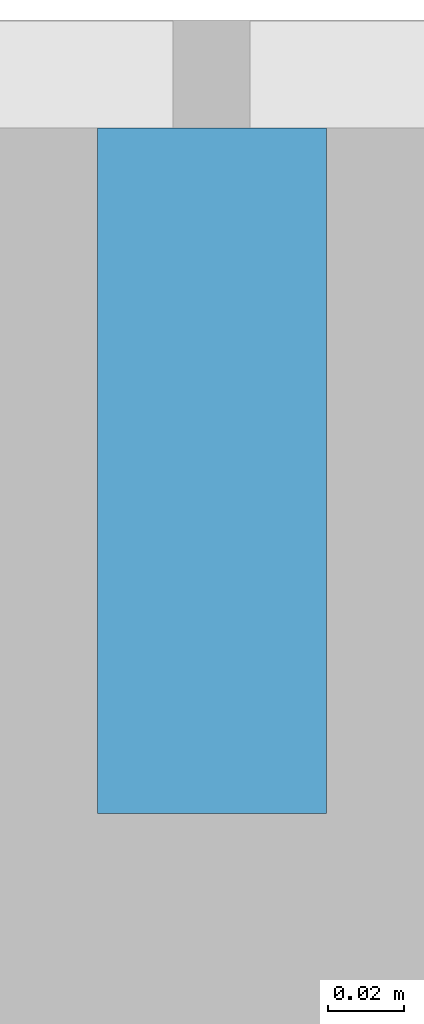
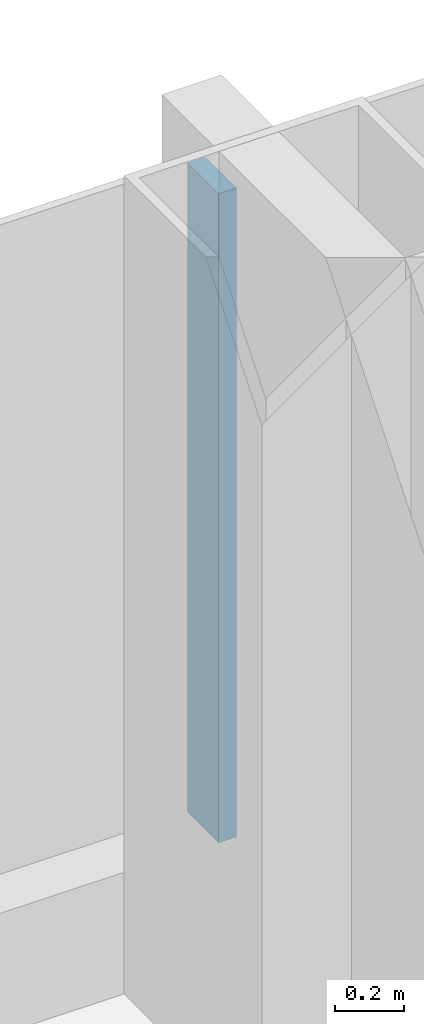
# One storey, part 8 of 29: 1 member, 1 element without a shape of its own.
"""IFC4 building model written with IfcOpenShell, lengths in metres."""

from ifc_helpers import new_model, si_unit, direction, frame, origin, origin_2d, place, context, subcontext, project, spatial, rectangle, extrude, material, layer, layer_set, material_profile, profile_set, type_object, element, aggregate, save


model = new_model("IFC4")

# Units and contexts
model_context = context("Model", 3, precision=1e-05, world=origin(), true_north=direction((0.0, 1.0)))
body_context = subcontext(model_context, "Body", "Model", "MODEL_VIEW")
ifc_project = project(units=[si_unit("LENGTHUNIT", "METRE"), si_unit("AREAUNIT", "SQUARE_METRE"), si_unit("VOLUMEUNIT", "CUBIC_METRE"), si_unit("PLANEANGLEUNIT", "RADIAN"), si_unit("MASSUNIT", "GRAM", prefix="KILO")], contexts=[model_context])

# Site, building, storey
site_placement = place(None, origin())
site = spatial("IfcSite", under=ifc_project, at=site_placement, CompositionType="ELEMENT")
building_placement = place(site_placement, origin())
building = spatial("IfcBuilding", under=site, at=building_placement, Name="Hakoniwa Tower and Hamabe Station Hall", CompositionType="ELEMENT")
storey_placement = place(building_placement, frame((0.0, 0.0, 117.0)))
storey = spatial("IfcBuildingStorey", under=building, at=storey_placement, Name="L33", CompositionType="ELEMENT", Elevation=117.0)

# Curtain wall, member
ifc_material_1 = material(Name="Dark low-e laminated glass", Category="glass")
ifc_layer = layer(ifc_material_1, 0.199951171875)
ifc_layer_set = layer_set([ifc_layer], Name="CW-1 UNITISED GUEST")
curtain_wall_type = type_object("IfcCurtainWallType", Name="CW-1 UNITISED GUEST", PredefinedType="NOTDEFINED", material=ifc_layer_set)
curtain_wall_placement = place(storey_placement, origin())
curtain_wall = element("IfcCurtainWall", 1, at=curtain_wall_placement, inside=storey, type_object=curtain_wall_type, Name="CW-1 curtain wall", PredefinedType="NOTDEFINED")
ifc_material_2 = material(Name="Aluminium 6063-T5 black anodised", Category="aluminium")
ifc_material_profile = material_profile(ifc_material_2, rectangle(XDim=0.06005859375, YDim=0.179931640625, at=origin_2d()), Name="CW-1 MULLION 60X180")
ifc_profile_set = profile_set([ifc_material_profile], Name="Aluminium 6063-T5 black anodised")
member_type = type_object("IfcMemberType", Name="CW-1 MULLION 60X180", PredefinedType="MULLION", material=ifc_profile_set)
member_placement = place(storey_placement, frame((-8.39990234375, 23.431884765625, 0.35009765625), z_axis=(0.0, 0.0, 1.0), x_axis=(-1.0, 0.0, 0.0)))
member = element("IfcMember", 2, at=member_placement, type_object=member_type, Name="CW-1 mullion", PredefinedType="MULLION", context=body_context, shape_type="SweptSolid", body=[
    extrude(rectangle(XDim=0.06005859375, YDim=0.179931640625, at=origin_2d()), origin(), (0.0, 0.0, 1.0), 2.2998046875),
])
aggregate(curtain_wall, [member])

save(model, "model.ifc")
